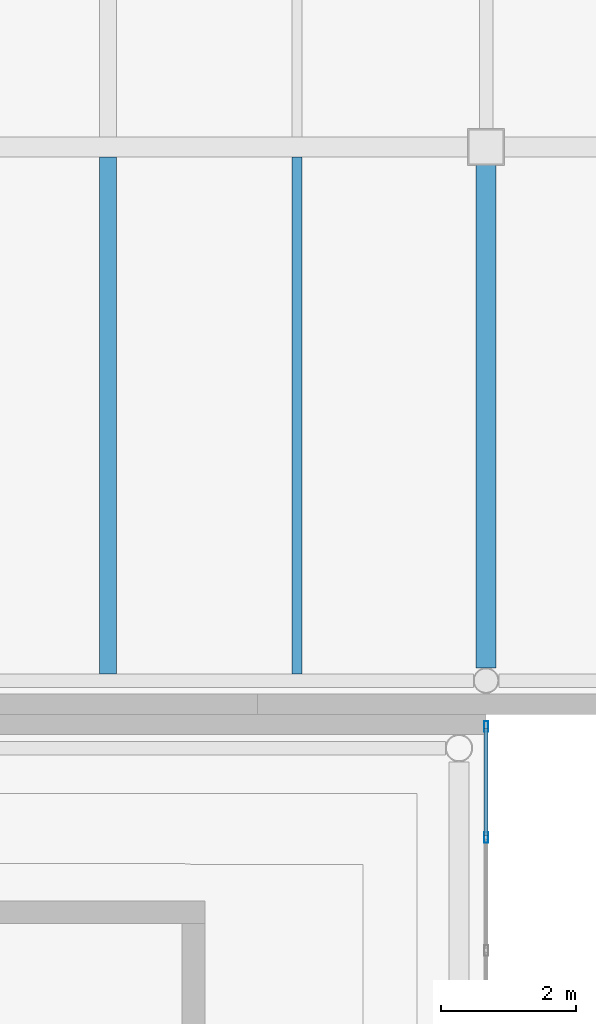
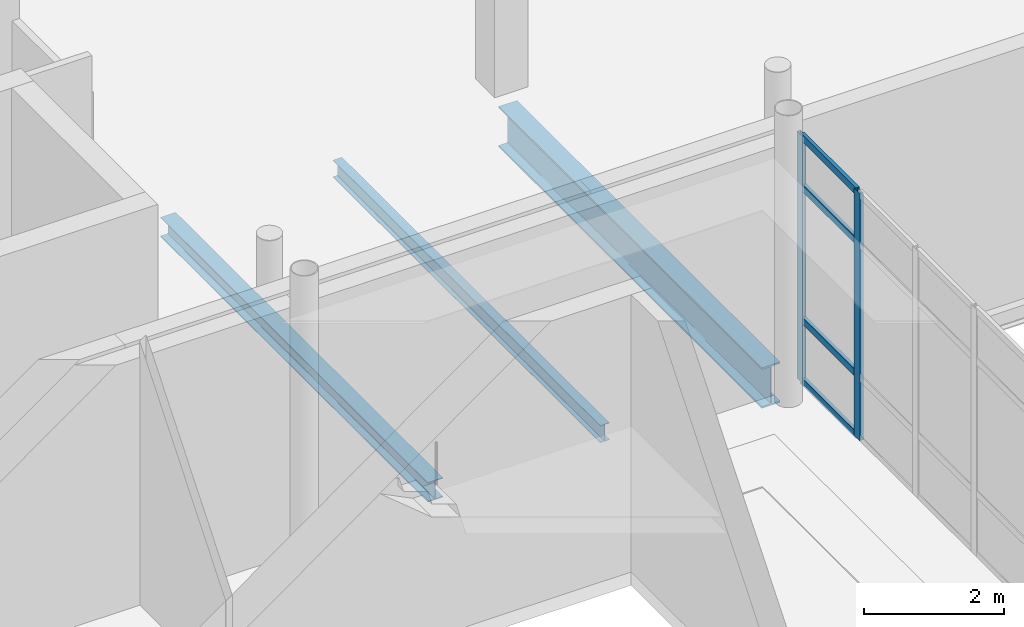
# One storey, part 44 of 103: 6 members, 3 beams, 1 element without a shape of its own.
"""IFC4 building model written with IfcOpenShell, lengths in metres."""

from ifc_helpers import new_model, si_unit, direction, frame, origin, origin_2d, place, context, subcontext, project, spatial, hollow_rectangle, i_section, extrude, material, layer, layer_set, material_profile, profile_set, type_object, element, aggregate, save


model = new_model("IFC4")

# Units and contexts
model_context = context("Model", 3, precision=1e-05, world=origin(), true_north=direction((0.0, 1.0)))
body_context = subcontext(model_context, "Body", "Model", "MODEL_VIEW")
ifc_project = project(units=[si_unit("LENGTHUNIT", "METRE"), si_unit("AREAUNIT", "SQUARE_METRE"), si_unit("VOLUMEUNIT", "CUBIC_METRE"), si_unit("PLANEANGLEUNIT", "RADIAN"), si_unit("MASSUNIT", "GRAM", prefix="KILO"), si_unit("THERMODYNAMICTEMPERATUREUNIT", "KELVIN")], contexts=[model_context])

# Site, building, storey
site_placement = place(None, origin())
site = spatial("IfcSite", under=ifc_project, at=site_placement, CompositionType="ELEMENT")
building_placement = place(site_placement, origin())
building = spatial("IfcBuilding", under=site, at=building_placement, Name="Lustrewick Department Store", CompositionType="ELEMENT")
storey_placement = place(building_placement, frame((0.0, 0.0, 16.5)))
storey = spatial("IfcBuildingStorey", under=building, at=storey_placement, Name="L04", CompositionType="ELEMENT", Elevation=16.5)

# Beams
ifc_material_1 = material(Name="Structural steel Q355B", Category="steel")
ifc_material_profile_1 = material_profile(ifc_material_1, i_section(OverallWidth=0.25, OverallDepth=0.340087890625, WebThickness=0.009033203125, FlangeThickness=0.013916015625, FilletRadius=0.01611328125, at=origin_2d()), Name="HM 340x250x9x14")
ifc_profile_set_1 = profile_set([ifc_material_profile_1], Name="Structural steel Q355B")
beam_type_1 = type_object("IfcBeamType", Name="B08", PredefinedType="JOIST", material=ifc_profile_set_1)
beam_1_placement = place(storey_placement, frame((145.60009765625, 51.00048828125, -0.425048828125), z_axis=(0.0, 1.0, 0.0), x_axis=(-1.0, 0.0, 0.0)))
element("IfcBeam", 1, at=beam_1_placement, inside=storey, type_object=beam_type_1, Name="L04 V4 Secondary Joist B08", PredefinedType="JOIST", context=body_context, shape_type="SweptSolid", body=[
    extrude(i_section(OverallWidth=0.25, OverallDepth=0.340087890625, WebThickness=0.009033203125, FlangeThickness=0.013916015625, FilletRadius=0.01611328125, at=origin_2d()), origin(), (0.0, 0.0, 1.0), 7.6494140625),
])
ifc_material_profile_2 = material_profile(ifc_material_1, i_section(OverallWidth=0.14990234375, OverallDepth=0.300048828125, WebThickness=0.006591796875, FlangeThickness=0.009033203125, FilletRadius=0.011962890625, at=origin_2d()), Name="HN 300x150x6.5x9")
ifc_profile_set_2 = profile_set([ifc_material_profile_2], Name="Structural steel Q355B")
beam_type_2 = type_object("IfcBeamType", Name="B11", PredefinedType="JOIST", material=ifc_profile_set_2)
beam_2_placement = place(storey_placement, frame((148.39990234375, 51.00048828125, -0.405029296875), z_axis=(0.0, 1.0, 0.0), x_axis=(-1.0, 0.0, 0.0)))
element("IfcBeam", 2, at=beam_2_placement, inside=storey, type_object=beam_type_2, Name="L04 V4 Secondary Joist B11", PredefinedType="JOIST", context=body_context, shape_type="SweptSolid", body=[
    extrude(i_section(OverallWidth=0.14990234375, OverallDepth=0.300048828125, WebThickness=0.006591796875, FlangeThickness=0.009033203125, FilletRadius=0.011962890625, at=origin_2d()), origin(), (0.0, 0.0, 1.0), 7.6494140625),
])

# Curtain wall, members
ifc_material_2 = material(Name="Thermally broken aluminium 6063-T5", Category="aluminium")
ifc_layer = layer(ifc_material_2, 0.159912109375, Name="Thermally broken aluminium 6063-T5")
ifc_layer_set = layer_set([ifc_layer], Name="Thermally broken aluminium 6063-T5")
curtain_wall_type = type_object("IfcCurtainWallType", Name="CW13", PredefinedType="NOTDEFINED", material=ifc_layer_set)
curtain_wall_placement = place(storey_placement, origin())
curtain_wall = element("IfcCurtainWall", 3, at=curtain_wall_placement, inside=storey, type_object=curtain_wall_type, Name="L04 V3 Curtain Wall CW13", PredefinedType="NOTDEFINED")
ifc_material_profile_3 = material_profile(ifc_material_2, hollow_rectangle(XDim=0.06005859375, YDim=0.159912109375, WallThickness=0.00390625, at=origin_2d()), Name="ALU-M 60x160x4")
ifc_profile_set_3 = profile_set([ifc_material_profile_3], Name="Thermally broken aluminium 6063-T5")
member_type_1 = type_object("IfcMemberType", Name="CW13-M1", PredefinedType="MULLION", material=ifc_profile_set_3)
member_1_placement = place(storey_placement, frame((151.199951171875, 48.577392578125, 0.0), z_axis=(0.0, 0.0, 1.0), x_axis=(-1.0, 0.0, 0.0)))
member_1 = element("IfcMember", 4, at=member_1_placement, type_object=member_type_1, Name="CW13 mullion 5", PredefinedType="MULLION", context=body_context, shape_type="SweptSolid", body=[
    extrude(hollow_rectangle(XDim=0.06005859375, YDim=0.159912109375, WallThickness=0.00390625, at=origin_2d()), origin(), (0.0, 0.0, 1.0), 4.320068359375),
])
member_2_placement = place(storey_placement, frame((151.199951171875, 50.219970703125, 0.0), z_axis=(0.0, 0.0, 1.0), x_axis=(-1.0, 0.0, 0.0)))
member_2 = element("IfcMember", 5, at=member_2_placement, type_object=member_type_1, Name="CW13 mullion 6", PredefinedType="MULLION", context=body_context, shape_type="SweptSolid", body=[
    extrude(hollow_rectangle(XDim=0.06005859375, YDim=0.159912109375, WallThickness=0.00390625, at=origin_2d()), origin(), (0.0, 0.0, 1.0), 4.320068359375),
])
ifc_material_profile_4 = material_profile(ifc_material_2, hollow_rectangle(XDim=0.06005859375, YDim=0.1201171875, WallThickness=0.00341796875, at=origin_2d()), Name="ALU-T 60x120x3.5")
ifc_profile_set_4 = profile_set([ifc_material_profile_4], Name="Thermally broken aluminium 6063-T5")
member_type_2 = type_object("IfcMemberType", Name="CW13-T1", PredefinedType="USERDEFINED", material=ifc_profile_set_4)
member_3_placement = place(storey_placement, frame((151.199951171875, 48.607421875, 0.030029296875), z_axis=(0.0, 1.0, 0.0), x_axis=(-1.0, 0.0, 0.0)))
member_3 = element("IfcMember", 6, at=member_3_placement, type_object=member_type_2, Name="CW13 transom 5.1", ObjectType="TRANSOM", PredefinedType="USERDEFINED", context=body_context, shape_type="SweptSolid", body=[
    extrude(hollow_rectangle(XDim=0.06005859375, YDim=0.1201171875, WallThickness=0.00341796875, at=origin_2d()), origin(), (0.0, 0.0, 1.0), 1.58251953125),
])
member_4_placement = place(storey_placement, frame((151.199951171875, 48.607421875, 1.10009765625), z_axis=(0.0, 1.0, 0.0), x_axis=(-1.0, 0.0, 0.0)))
member_4 = element("IfcMember", 7, at=member_4_placement, type_object=member_type_2, Name="CW13 transom 5.2", ObjectType="TRANSOM", PredefinedType="USERDEFINED", context=body_context, shape_type="SweptSolid", body=[
    extrude(hollow_rectangle(XDim=0.06005859375, YDim=0.1201171875, WallThickness=0.00341796875, at=origin_2d()), origin(), (0.0, 0.0, 1.0), 1.58251953125),
])
member_5_placement = place(storey_placement, frame((151.199951171875, 48.607421875, 3.419921875), z_axis=(0.0, 1.0, 0.0), x_axis=(-1.0, 0.0, 0.0)))
member_5 = element("IfcMember", 8, at=member_5_placement, type_object=member_type_2, Name="CW13 transom 5.3", ObjectType="TRANSOM", PredefinedType="USERDEFINED", context=body_context, shape_type="SweptSolid", body=[
    extrude(hollow_rectangle(XDim=0.06005859375, YDim=0.1201171875, WallThickness=0.00341796875, at=origin_2d()), origin(), (0.0, 0.0, 1.0), 1.58251953125),
])
member_6_placement = place(storey_placement, frame((151.199951171875, 48.607421875, 4.2900390625), z_axis=(0.0, 1.0, 0.0), x_axis=(-1.0, 0.0, 0.0)))
member_6 = element("IfcMember", 9, at=member_6_placement, type_object=member_type_2, Name="CW13 transom 5.4", ObjectType="TRANSOM", PredefinedType="USERDEFINED", context=body_context, shape_type="SweptSolid", body=[
    extrude(hollow_rectangle(XDim=0.06005859375, YDim=0.1201171875, WallThickness=0.00341796875, at=origin_2d()), origin(), (0.0, 0.0, 1.0), 1.58251953125),
])
aggregate(curtain_wall, [member_1, member_2, member_3, member_4, member_5, member_6])

# Beam
ifc_material_3 = material(Name="Structural steel Q355C", Category="steel")
ifc_material_profile_5 = material_profile(ifc_material_3, i_section(OverallWidth=0.302001953125, OverallDepth=0.7080078125, WebThickness=0.014892578125, FlangeThickness=0.028076171875, FilletRadius=0.02001953125, at=origin_2d()), Name="HN 708x302x15x28")
ifc_profile_set_5 = profile_set([ifc_material_profile_5], Name="Structural steel Q355C")
beam_type_3 = type_object("IfcBeamType", Name="G07", PredefinedType="BEAM", material=ifc_profile_set_5)
beam_3_placement = place(storey_placement, frame((151.199951171875, 51.08837890625, -0.60888671875), z_axis=(0.0, 1.0, 0.0), x_axis=(-1.0, 0.0, 0.0)))
element("IfcBeam", 10, at=beam_3_placement, inside=storey, type_object=beam_type_3, Name="L04 V4 Girder G07", PredefinedType="BEAM", context=body_context, shape_type="SweptSolid", body=[
    extrude(i_section(OverallWidth=0.302001953125, OverallDepth=0.7080078125, WebThickness=0.014892578125, FlangeThickness=0.028076171875, FilletRadius=0.02001953125, at=origin_2d()), origin(), (0.0, 0.0, 1.0), 7.53662109375),
])

save(model, "model.ifc")
